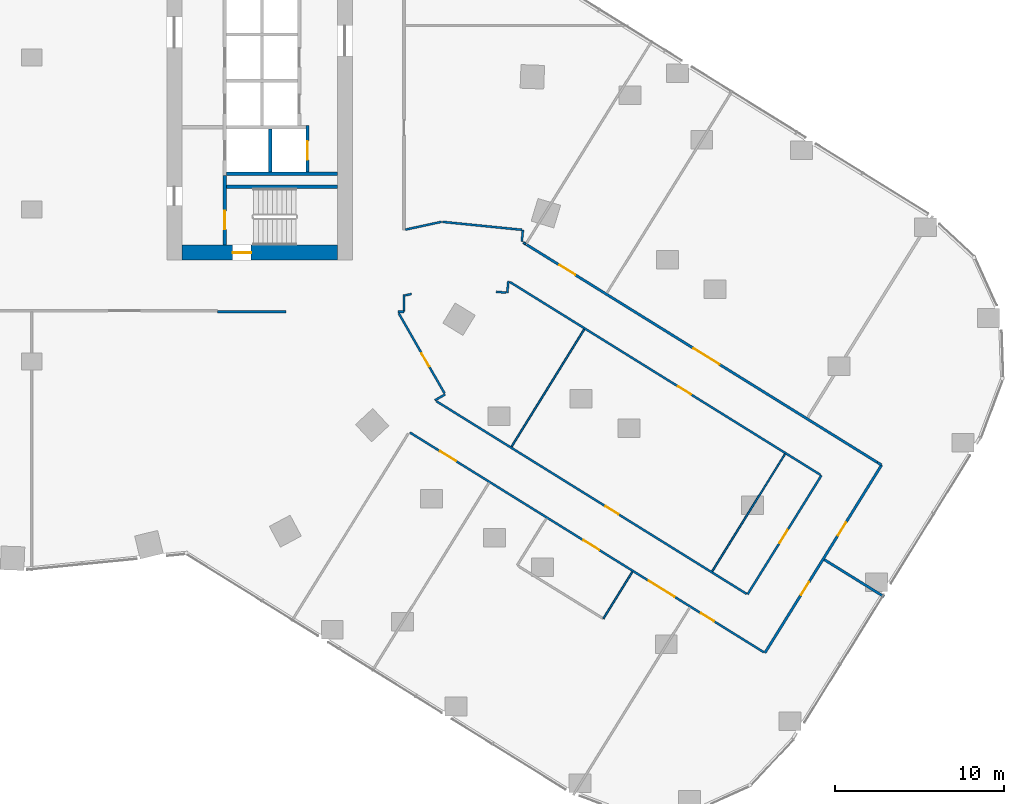
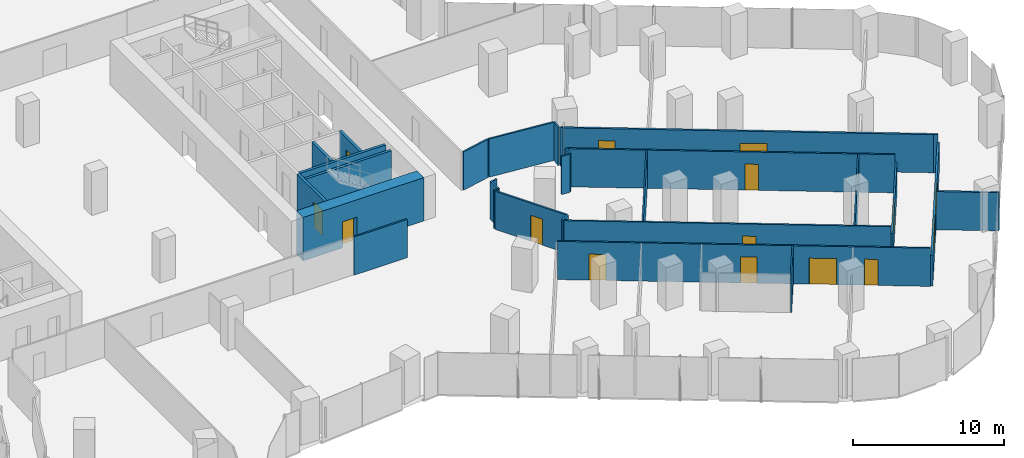
# One storey, part 30 of 33: 29 walls, 15 doors, 15 openings.
"""IFC4 building model written with IfcOpenShell, lengths in metres."""

from ifc_helpers import new_model, si_unit, direction, frame, frame_2d, origin, place, context, subcontext, project, spatial, rectangle, extrude, material, layer, layer_set, type_object, element, fill, save


model = new_model("IFC4")

# Units and contexts
model_context = context("Model", 3, precision=1e-05, world=origin(), true_north=direction((0.0, 1.0)))
body_context = subcontext(model_context, "Body", "Model", "MODEL_VIEW")
ifc_project = project(units=[si_unit("LENGTHUNIT", "METRE"), si_unit("AREAUNIT", "SQUARE_METRE"), si_unit("VOLUMEUNIT", "CUBIC_METRE"), si_unit("PLANEANGLEUNIT", "RADIAN"), si_unit("MASSUNIT", "GRAM", prefix="KILO")], contexts=[model_context])

# Site, building, storey
site_placement = place(None, origin())
site = spatial("IfcSite", under=ifc_project, at=site_placement, CompositionType="ELEMENT")
building_placement = place(site_placement, origin())
building = spatial("IfcBuilding", under=site, at=building_placement, Name="Orlundy Tower", CompositionType="ELEMENT")
storey_placement = place(building_placement, frame((0.0, 0.0, 51.300048828125)))
storey = spatial("IfcBuildingStorey", under=building, at=storey_placement, Name="L11", CompositionType="ELEMENT", Elevation=51.300048828125)

# Wall, opening, door
ifc_material_1 = material(Name="Concrete C80/95", Category="concrete")
ifc_layer_1 = layer(ifc_material_1, 0.89990234375)
ifc_layer_set_1 = layer_set([ifc_layer_1], Name="CORE WALL 900 C80/95")
wall_type_1 = type_object("IfcWallType", Name="CORE WALL 900 C80/95", PredefinedType="SHEAR", material=ifc_layer_set_1)
wall_1_placement = place(storey_placement, frame((8.89990234375, -11.550048828125, 0.0), z_axis=(0.0, 0.0, 1.0), x_axis=(1.0, 0.0, 0.0)))
wall_1 = element("IfcWall", 1, at=wall_1_placement, inside=storey, type_object=wall_type_1, Name="Core wall E-S L11", PredefinedType="SHEAR", context=body_context, shape_type="SweptSolid", body=[
    extrude(rectangle(XDim=9.2001953125, YDim=0.89990234375, at=frame_2d((4.60009765625, 0.0))), origin(), (0.0, 0.0, 1.0), 3.5),
])
opening_1_placement = place(wall_1_placement, frame((3.0, 0.0, 0.0)))
opening_1 = element("IfcOpeningElement", 2, at=opening_1_placement, cuts=wall_1, Name="Opening 10061", PredefinedType="OPENING", context=body_context, shape_type="SweptSolid", body=[
    extrude(rectangle(XDim=1.10009765625, YDim=2.10009765625, at=frame_2d((0.550048828125, 1.050048828125))), frame((0.0, 0.4599609375, 0.0), z_axis=(0.0, -1.0, 0.0), x_axis=(1.0, 0.0, 0.0)), (0.0, 0.0, 1.0), 0.919921875),
])
ifc_material_2 = material(Name="Steel door set", Category="steel")
door_type_1 = type_object("IfcDoorType", Name="Stair Door 1100x2100", OperationType="SINGLE_SWING_LEFT", PredefinedType="DOOR", material=ifc_material_2)
door_1_placement = place(opening_1_placement, origin())
door_1 = element("IfcDoor", 3, at=door_1_placement, inside=storey, type_object=door_type_1, Name="Stair door 10061", OperationType="SINGLE_SWING_LEFT", OverallHeight=2.10009765625, OverallWidth=1.10009765625, PredefinedType="DOOR", context=body_context, shape_type="SweptSolid", body=[
    extrude(rectangle(XDim=1.10009765625, YDim=2.10009765625, at=frame_2d((0.550048828125, 1.050048828125))), frame((0.0, 0.02490234375, 0.0), z_axis=(0.0, -1.0, 0.0), x_axis=(1.0, 0.0, 0.0)), (0.0, 0.0, 1.0), 0.050048828125),
])
fill(opening_1, door_1)

# Walls
ifc_material_3 = material(Name="Gypsum board partition")
ifc_layer_2 = layer(ifc_material_3, 0.10009765625)
ifc_layer_set_2 = layer_set([ifc_layer_2], Name="Floor partition 100")
wall_type_2 = type_object("IfcWallType", Name="Floor partition 100", PredefinedType="PARTITIONING", material=ifc_layer_set_2)
wall_2_placement = place(storey_placement, frame((40.31494140625, -30.427978515625, 0.0), z_axis=(0.0, 0.0, 1.0), x_axis=(0.527389626356, 0.849623553118, 0.0)))
element("IfcWall", 4, at=wall_2_placement, inside=storey, type_object=wall_type_2, Name="wall-int-L11-060", PredefinedType="PARTITIONING", context=body_context, shape_type="SweptSolid", body=[
    extrude(rectangle(XDim=8.17431640625, YDim=0.10009765625, at=frame_2d((4.087158203125, 0.0))), origin(), (0.0, 0.0, 1.0), 3.079833984375),
])
wall_3_placement = place(storey_placement, frame((33.860107421875, -33.240966796875, 0.0), z_axis=(0.0, 0.0, 1.0), x_axis=(0.527431657727, 0.849597461406, 0.0)))
element("IfcWall", 5, at=wall_3_placement, inside=storey, type_object=wall_type_2, Name="wall-int-L11-062", PredefinedType="PARTITIONING", context=body_context, shape_type="SweptSolid", body=[
    extrude(rectangle(XDim=3.2685546875, YDim=0.10009765625, at=frame_2d((1.63427734375, 0.0))), origin(), (0.0, 0.0, 1.0), 3.079833984375),
])
wall_4_placement = place(storey_placement, frame((28.4208984375, -23.0439453125, 0.0), z_axis=(0.0, 0.0, 1.0), x_axis=(0.527456547397, 0.849582009348, 0.0)))
element("IfcWall", 6, at=wall_4_placement, inside=storey, type_object=wall_type_2, Name="wall-int-L11-065", PredefinedType="PARTITIONING", context=body_context, shape_type="SweptSolid", body=[
    extrude(rectangle(XDim=8.17333984375, YDim=0.10009765625, at=frame_2d((4.086669921875, 0.0))), origin(), (0.0, 0.0, 1.0), 3.079833984375),
])

# Wall, opening, door
ifc_material_4 = material(Name="Gypsum board partition, double layer")
ifc_layer_3 = layer(ifc_material_4, 0.125)
ifc_layer_set_3 = layer_set([ifc_layer_3], Name="Floor partition 125")
wall_type_3 = type_object("IfcWallType", Name="Floor partition 125", PredefinedType="PARTITIONING", material=ifc_layer_set_3)
wall_5_placement = place(storey_placement, frame((21.739990234375, -15.14501953125, 0.0), z_axis=(0.0, 0.0, 1.0), x_axis=(0.496826277176, -0.867850016021, 0.0)))
wall_5 = element("IfcWall", 7, at=wall_5_placement, inside=storey, type_object=wall_type_3, Name="wall-int-L11-003", PredefinedType="PARTITIONING", context=body_context, shape_type="SweptSolid", body=[
    extrude(rectangle(XDim=5.46875, YDim=0.125, at=frame_2d((2.734375, 0.0))), origin(), (0.0, 0.0, 1.0), 3.079833984375),
])
opening_2_placement = place(wall_5_placement, frame((2.7333984375, 0.0, 0.0)))
opening_2 = element("IfcOpeningElement", 8, at=opening_2_placement, cuts=wall_5, Name="Opening 10102", PredefinedType="OPENING", context=body_context, shape_type="SweptSolid", body=[
    extrude(rectangle(XDim=0.89990234375, YDim=2.10009765625, at=frame_2d((0.449951171875, 1.050048828125))), frame((0.0, 0.072509765625, 0.0), z_axis=(0.0, -1.0, 0.0), x_axis=(1.0, 0.0, 0.0)), (0.0, 0.0, 1.0), 0.14501953125),
])
ifc_material_5 = material(Name="Timber door leaf", Category="wood")
door_type_2 = type_object("IfcDoorType", Name="Floor door single 900 FD30S", OperationType="NOTDEFINED", PredefinedType="DOOR", material=ifc_material_5)
door_2_placement = place(opening_2_placement, origin())
door_2 = element("IfcDoor", 9, at=door_2_placement, inside=storey, type_object=door_type_2, Name="Door 10102", OperationType="SINGLE_SWING_RIGHT", OverallHeight=2.10009765625, OverallWidth=0.89990234375, PredefinedType="DOOR", context=body_context, shape_type="SweptSolid", body=[
    extrude(rectangle(XDim=0.89990234375, YDim=2.10009765625, at=frame_2d((0.449951171875, 1.050048828125))), frame((0.0, 0.02490234375, 0.0), z_axis=(0.0, -1.0, 0.0), x_axis=(1.0, 0.0, 0.0)), (0.0, 0.0, 1.0), 0.050048828125),
])
fill(opening_2, door_2)

# Wall, openings, doors
wall_6_placement = place(storey_placement, frame((43.367919921875, -35.222900390625, 0.0), z_axis=(0.0, 0.0, 1.0), x_axis=(-0.849582235026, 0.527456183895, 0.0)))
wall_6 = element("IfcWall", 10, at=wall_6_placement, inside=storey, type_object=wall_type_3, Name="wall-int-L11-018", PredefinedType="PARTITIONING", context=body_context, shape_type="SweptSolid", body=[
    extrude(rectangle(XDim=24.680419921875, YDim=0.125, at=frame_2d((12.34033203125, 0.0))), origin(), (0.0, 0.0, 1.0), 3.079833984375),
])
opening_3_placement = place(wall_6_placement, frame((3.4736328125, 0.0, 0.0)))
opening_3 = element("IfcOpeningElement", 11, at=opening_3_placement, cuts=wall_6, Name="Opening 10107", PredefinedType="OPENING", context=body_context, shape_type="SweptSolid", body=[
    extrude(rectangle(XDim=0.89990234375, YDim=2.10009765625, at=frame_2d((0.449951171875, 1.050048828125))), frame((0.0, 0.072509765625, 0.0), z_axis=(0.0, -1.0, 0.0), x_axis=(1.0, 0.0, 0.0)), (0.0, 0.0, 1.0), 0.14501953125),
])
opening_4_placement = place(wall_6_placement, frame((21.473388671875, 0.0, 0.0)))
opening_4 = element("IfcOpeningElement", 12, at=opening_4_placement, cuts=wall_6, Name="Opening 10109", PredefinedType="OPENING", context=body_context, shape_type="SweptSolid", body=[
    extrude(rectangle(XDim=1.10009765625, YDim=2.10009765625, at=frame_2d((0.550048828125, 1.050048828125))), frame((0.0, 0.072509765625, 0.0), z_axis=(0.0, -1.0, 0.0), x_axis=(1.0, 0.0, 0.0)), (0.0, 0.0, 1.0), 0.14501953125),
])
opening_5_placement = place(wall_6_placement, frame((6.223388671875, 0.0, 0.0)))
opening_5 = element("IfcOpeningElement", 13, at=opening_5_placement, cuts=wall_6, Name="Opening 10110", PredefinedType="OPENING", context=body_context, shape_type="SweptSolid", body=[
    extrude(rectangle(XDim=1.800048828125, YDim=2.10009765625, at=frame_2d((0.89990234375, 1.050048828125))), frame((0.0, 0.072509765625, 0.0), z_axis=(0.0, -1.0, 0.0), x_axis=(1.0, 0.0, 0.0)), (0.0, 0.0, 1.0), 0.14501953125),
])
opening_6_placement = place(wall_6_placement, frame((11.4736328125, 0.0, 0.0)))
opening_6 = element("IfcOpeningElement", 14, at=opening_6_placement, cuts=wall_6, Name="Opening 10133", PredefinedType="OPENING", context=body_context, shape_type="SweptSolid", body=[
    extrude(rectangle(XDim=1.10009765625, YDim=2.10009765625, at=frame_2d((0.550048828125, 1.050048828125))), frame((0.0, 0.072509765625, 0.0), z_axis=(0.0, -1.0, 0.0), x_axis=(1.0, 0.0, 0.0)), (0.0, 0.0, 1.0), 0.14501953125),
])
ifc_material_6 = material(Name="Timber door leaf", Category="wood")
door_type_3 = type_object("IfcDoorType", Name="Floor door double 1800 FD30S", OperationType="NOTDEFINED", PredefinedType="DOOR", material=ifc_material_6)
door_3_placement = place(opening_5_placement, origin())
door_3 = element("IfcDoor", 15, at=door_3_placement, inside=storey, type_object=door_type_3, Name="Door 10110", OperationType="DOUBLE_DOOR_SINGLE_SWING", OverallHeight=2.10009765625, OverallWidth=1.800048828125, PredefinedType="DOOR", context=body_context, shape_type="SweptSolid", body=[
    extrude(rectangle(XDim=1.800048828125, YDim=2.10009765625, at=frame_2d((0.89990234375, 1.050048828125))), frame((0.0, 0.02490234375, 0.0), z_axis=(0.0, -1.0, 0.0), x_axis=(1.0, 0.0, 0.0)), (0.0, 0.0, 1.0), 0.050048828125),
])
fill(opening_5, door_3)
door_4_placement = place(opening_3_placement, origin())
door_4 = element("IfcDoor", 16, at=door_4_placement, inside=storey, type_object=door_type_2, Name="Door 10107", OperationType="SINGLE_SWING_LEFT", OverallHeight=2.10009765625, OverallWidth=0.89990234375, PredefinedType="DOOR", context=body_context, shape_type="SweptSolid", body=[
    extrude(rectangle(XDim=0.89990234375, YDim=2.10009765625, at=frame_2d((0.449951171875, 1.050048828125))), frame((0.0, 0.02490234375, 0.0), z_axis=(0.0, -1.0, 0.0), x_axis=(1.0, 0.0, 0.0)), (0.0, 0.0, 1.0), 0.050048828125),
])
fill(opening_3, door_4)
ifc_material_7 = material(Name="Timber door leaf", Category="wood")
door_type_4 = type_object("IfcDoorType", Name="Floor door xwide 1100 FD30S", OperationType="NOTDEFINED", PredefinedType="DOOR", material=ifc_material_7)
door_5_placement = place(opening_4_placement, origin())
door_5 = element("IfcDoor", 17, at=door_5_placement, inside=storey, type_object=door_type_4, Name="Door 10109", OperationType="SINGLE_SWING_RIGHT", OverallHeight=2.10009765625, OverallWidth=1.10009765625, PredefinedType="DOOR", context=body_context, shape_type="SweptSolid", body=[
    extrude(rectangle(XDim=1.10009765625, YDim=2.10009765625, at=frame_2d((0.550048828125, 1.050048828125))), frame((0.0, 0.02490234375, 0.0), z_axis=(0.0, -1.0, 0.0), x_axis=(1.0, 0.0, 0.0)), (0.0, 0.0, 1.0), 0.050048828125),
])
fill(opening_4, door_5)
door_6_placement = place(opening_6_placement, origin())
door_6 = element("IfcDoor", 18, at=door_6_placement, inside=storey, type_object=door_type_4, Name="Door 10133", OperationType="SINGLE_SWING_LEFT", OverallHeight=2.10009765625, OverallWidth=1.10009765625, PredefinedType="DOOR", context=body_context, shape_type="SweptSolid", body=[
    extrude(rectangle(XDim=1.10009765625, YDim=2.10009765625, at=frame_2d((0.550048828125, 1.050048828125))), frame((0.0, 0.02490234375, 0.0), z_axis=(0.0, -1.0, 0.0), x_axis=(1.0, 0.0, 0.0)), (0.0, 0.0, 1.0), 0.050048828125),
])
fill(opening_6, door_6)

# Wall, opening, door
wall_7_placement = place(storey_placement, frame((23.971923828125, -20.35498046875, 0.0), z_axis=(0.0, 0.0, 1.0), x_axis=(0.849517042194, -0.527561176568, 0.0)))
wall_7 = element("IfcWall", 19, at=wall_7_placement, inside=storey, type_object=wall_type_3, Name="wall-int-L11-019", PredefinedType="PARTITIONING", context=body_context, shape_type="SweptSolid", body=[
    extrude(rectangle(XDim=21.6337890625, YDim=0.125, at=frame_2d((10.81689453125, 0.0))), origin(), (0.0, 0.0, 1.0), 3.079833984375),
])
opening_7_placement = place(wall_7_placement, frame((11.7978515625, 0.0, 0.0)))
opening_7 = element("IfcOpeningElement", 20, at=opening_7_placement, cuts=wall_7, Name="Opening 10103", PredefinedType="OPENING", context=body_context, shape_type="SweptSolid", body=[
    extrude(rectangle(XDim=0.89990234375, YDim=2.10009765625, at=frame_2d((0.449951171875, 1.050048828125))), frame((0.0, 0.072509765625, 0.0), z_axis=(0.0, -1.0, 0.0), x_axis=(1.0, 0.0, 0.0)), (0.0, 0.0, 1.0), 0.14501953125),
])
door_7_placement = place(opening_7_placement, origin())
door_7 = element("IfcDoor", 21, at=door_7_placement, inside=storey, type_object=door_type_2, Name="Door 10103", OperationType="SINGLE_SWING_RIGHT", OverallHeight=2.10009765625, OverallWidth=0.89990234375, PredefinedType="DOOR", context=body_context, shape_type="SweptSolid", body=[
    extrude(rectangle(XDim=0.89990234375, YDim=2.10009765625, at=frame_2d((0.449951171875, 1.050048828125))), frame((0.0, 0.02490234375, 0.0), z_axis=(0.0, -1.0, 0.0), x_axis=(1.0, 0.0, 0.0)), (0.0, 0.0, 1.0), 0.050048828125),
])
fill(opening_7, door_7)

wall_8_placement = place(storey_placement, frame((46.72900390625, -24.718017578125, 0.0), z_axis=(0.0, 0.0, 1.0), x_axis=(-0.849521220981, 0.527554447525, 0.0)))
wall_8 = element("IfcWall", 22, at=wall_8_placement, inside=storey, type_object=wall_type_3, Name="wall-int-L11-021", PredefinedType="PARTITIONING", context=body_context, shape_type="SweptSolid", body=[
    extrude(rectangle(XDim=21.6640625, YDim=0.125, at=frame_2d((10.83203125, 0.0))), origin(), (0.0, 0.0, 1.0), 3.079833984375),
])
opening_8_placement = place(wall_8_placement, frame((9.03759765625, 0.0, 0.0)))
opening_8 = element("IfcOpeningElement", 23, at=opening_8_placement, cuts=wall_8, Name="Opening 10104", PredefinedType="OPENING", context=body_context, shape_type="SweptSolid", body=[
    extrude(rectangle(XDim=0.89990234375, YDim=2.10009765625, at=frame_2d((0.449951171875, 1.050048828125))), frame((0.0, 0.072509765625, 0.0), z_axis=(0.0, -1.0, 0.0), x_axis=(1.0, 0.0, 0.0)), (0.0, 0.0, 1.0), 0.14501953125),
])
door_8_placement = place(opening_8_placement, origin())
door_8 = element("IfcDoor", 24, at=door_8_placement, inside=storey, type_object=door_type_2, Name="Door 10104", OperationType="SINGLE_SWING_LEFT", OverallHeight=2.10009765625, OverallWidth=0.89990234375, PredefinedType="DOOR", context=body_context, shape_type="SweptSolid", body=[
    extrude(rectangle(XDim=0.89990234375, YDim=2.10009765625, at=frame_2d((0.449951171875, 1.050048828125))), frame((0.0, 0.02490234375, 0.0), z_axis=(0.0, -1.0, 0.0), x_axis=(1.0, 0.0, 0.0)), (0.0, 0.0, 1.0), 0.050048828125),
])
fill(opening_8, door_8)

# Walls
wall_9_placement = place(storey_placement, frame((29.116943359375, -10.955078125, 0.0), z_axis=(0.0, 0.0, 1.0), x_axis=(0.851611075983, -0.524174184087, 0.0)))
element("IfcWall", 25, at=wall_9_placement, inside=storey, type_object=wall_type_3, Name="wall-int-L11-024", PredefinedType="PARTITIONING", context=body_context, shape_type="SweptSolid", body=[
    extrude(rectangle(XDim=0.177490234375, YDim=0.125, at=frame_2d((0.0888671875, 0.0))), origin(), (0.0, 0.0, 1.0), 3.079833984375),
])
wall_10_placement = place(storey_placement, frame((27.51806640625, -13.866943359375, 0.0), z_axis=(0.0, 0.0, 1.0), x_axis=(0.994987975915, -0.099994638776, 0.0)))
element("IfcWall", 26, at=wall_10_placement, inside=storey, type_object=wall_type_3, Name="wall-int-L11-026", PredefinedType="PARTITIONING", context=body_context, shape_type="SweptSolid", body=[
    extrude(rectangle(XDim=0.5908203125, YDim=0.125, at=frame_2d((0.29541015625, 0.0))), origin(), (0.0, 0.0, 1.0), 3.079833984375),
])
wall_11_placement = place(storey_placement, frame((29.0390625, -10.198974609375, 0.0), z_axis=(0.0, 0.0, 1.0), x_axis=(-0.995058150607, 0.099293891606, 0.0)))
element("IfcWall", 27, at=wall_11_placement, inside=storey, type_object=wall_type_3, Name="wall-int-L11-027", PredefinedType="PARTITIONING", context=body_context, shape_type="SweptSolid", body=[
    extrude(rectangle(XDim=4.723388671875, YDim=0.125, at=frame_2d((2.36181640625, 0.0))), origin(), (0.0, 0.0, 1.0), 3.079833984375),
])
wall_12_placement = place(storey_placement, frame((10.990966796875, -15.051025390625, 0.0), z_axis=(0.0, 0.0, 1.0), x_axis=(1.0, 0.0, 0.0)))
element("IfcWall", 28, at=wall_12_placement, inside=storey, type_object=wall_type_3, Name="wall-int-L11-032", PredefinedType="PARTITIONING", context=body_context, shape_type="SweptSolid", body=[
    extrude(rectangle(XDim=4.06103515625, YDim=0.125, at=frame_2d((2.030517578125, 0.0))), origin(), (0.0, 0.0, 1.0), 3.079833984375),
])
wall_13_placement = place(storey_placement, frame((21.68603515625, -15.051025390625, 0.0), z_axis=(0.0, 0.0, 1.0), x_axis=(1.0, 0.0, 0.0)))
element("IfcWall", 29, at=wall_13_placement, inside=storey, type_object=wall_type_3, Name="wall-int-L11-033", PredefinedType="PARTITIONING", context=body_context, shape_type="SweptSolid", body=[
    extrude(rectangle(XDim=0.364013671875, YDim=0.125, at=frame_2d((0.18212890625, 0.0))), origin(), (0.0, 0.0, 1.0), 3.079833984375),
])
wall_14_placement = place(storey_placement, frame((22.126953125, -14.0810546875, 0.0), z_axis=(0.0, 0.0, 1.0), x_axis=(0.976967058765, 0.213390173362, 0.0)))
element("IfcWall", 30, at=wall_14_placement, inside=storey, type_object=wall_type_3, Name="wall-int-L11-042", PredefinedType="PARTITIONING", context=body_context, shape_type="SweptSolid", body=[
    extrude(rectangle(XDim=0.3798828125, YDim=0.125, at=frame_2d((0.18994140625, 0.0))), origin(), (0.0, 0.0, 1.0), 3.079833984375),
])
wall_15_placement = place(storey_placement, frame((22.126953125, -10.19091796875, 0.0), z_axis=(0.0, 0.0, 1.0), x_axis=(0.977235411969, 0.212157841227, 0.0)))
element("IfcWall", 31, at=wall_15_placement, inside=storey, type_object=wall_type_3, Name="wall-int-L11-043", PredefinedType="PARTITIONING", context=body_context, shape_type="SweptSolid", body=[
    extrude(rectangle(XDim=2.2001953125, YDim=0.125, at=frame_2d((1.10009765625, 0.0))), origin(), (0.0, 0.0, 1.0), 3.079833984375),
])
for number, where, z_axis, x_axis, name in (
    (32, (23.883056640625, -20.300048828125, 0.0), (0.0, 0.0, 1.0), (0.867683245789, 0.497117476032, 0.0), "wall-int-L11-045"),
    (33, (28.1689453125, -13.930908203125, 0.0), (0.0, 0.0, 1.0), (0.10033441048, 0.994953770822, 0.0), "wall-int-L11-072"),
):
    element("IfcWall", number, at=place(storey_placement, frame(where, z_axis=z_axis, x_axis=x_axis)), inside=storey, type_object=wall_type_3, Name=name, PredefinedType="PARTITIONING", context=body_context, shape_type="SweptSolid", body=[
        extrude(rectangle(XDim=0.6982421875, YDim=0.125, at=frame_2d((0.34912109375, 0.0))), origin(), (0.0, 0.0, 1.0), 3.079833984375),
    ])
wall_16_placement = place(storey_placement, frame((29.031982421875, -10.902099609375, 0.0), z_axis=(0.0, 0.0, 1.0), x_axis=(0.098777968406, 0.995109497974, 0.0)))
element("IfcWall", 34, at=wall_16_placement, inside=storey, type_object=wall_type_3, Name="wall-int-L11-073", PredefinedType="PARTITIONING", context=body_context, shape_type="SweptSolid", body=[
    extrude(rectangle(XDim=0.699462890625, YDim=0.125, at=frame_2d((0.349609375, 0.0))), origin(), (0.0, 0.0, 1.0), 3.079833984375),
])
wall_17_placement = place(storey_placement, frame((22.051025390625, -15.049072265625, 0.0), z_axis=(0.0, 0.0, 1.0), x_axis=(0.0, 1.0, 0.0)))
element("IfcWall", 35, at=wall_17_placement, inside=storey, type_object=wall_type_3, Name="wall-int-L11-076", PredefinedType="PARTITIONING", context=body_context, shape_type="SweptSolid", body=[
    extrude(rectangle(XDim=1.030029296875, YDim=0.125, at=frame_2d((0.51513671875, 0.0))), origin(), (0.0, 0.0, 1.0), 3.079833984375),
])

# Wall, opening, door
ifc_material_8 = material(Name="Gypsum board partition, double layer")
ifc_layer_4 = layer(ifc_material_8, 0.125)
ifc_layer_set_4 = layer_set([ifc_layer_4], Name="Floor partition 125 B")
wall_type_4 = type_object("IfcWallType", Name="Floor partition 125 B", PredefinedType="PARTITIONING", material=ifc_layer_set_4)
wall_18_placement = place(storey_placement, frame((42.405029296875, -31.799072265625, 0.0), z_axis=(0.0, 0.0, 1.0), x_axis=(0.527540070889, 0.849530148733, 0.0)))
wall_18 = element("IfcWall", 36, at=wall_18_placement, inside=storey, type_object=wall_type_4, Name="wall-int-L11-058", PredefinedType="PARTITIONING", context=body_context, shape_type="SweptSolid", body=[
    extrude(rectangle(XDim=8.298828125, YDim=0.125, at=frame_2d((4.1494140625, 0.0))), origin(), (0.0, 0.0, 1.0), 2.46875),
])
opening_9_placement = place(wall_18_placement, frame((3.60009765625, 0.0, 0.0)))
opening_9 = element("IfcOpeningElement", 37, at=opening_9_placement, cuts=wall_18, Name="Opening 10105", PredefinedType="OPENING", context=body_context, shape_type="SweptSolid", body=[
    extrude(rectangle(XDim=0.89990234375, YDim=2.10009765625, at=frame_2d((0.449951171875, 1.050048828125))), frame((0.0, 0.072509765625, 0.0), z_axis=(0.0, -1.0, 0.0), x_axis=(1.0, 0.0, 0.0)), (0.0, 0.0, 1.0), 0.14501953125),
])
door_9_placement = place(opening_9_placement, origin())
door_9 = element("IfcDoor", 38, at=door_9_placement, inside=storey, type_object=door_type_2, Name="Door 10105", OperationType="SINGLE_SWING_LEFT", OverallHeight=2.10009765625, OverallWidth=0.89990234375, PredefinedType="DOOR", context=body_context, shape_type="SweptSolid", body=[
    extrude(rectangle(XDim=0.89990234375, YDim=2.10009765625, at=frame_2d((0.449951171875, 1.050048828125))), frame((0.0, 0.02490234375, 0.0), z_axis=(0.0, -1.0, 0.0), x_axis=(1.0, 0.0, 0.0)), (0.0, 0.0, 1.0), 0.050048828125),
])
fill(opening_9, door_9)

# Walls
ifc_material_9 = material(Name="Blockwork shaft wall", Category="masonry")
ifc_layer_5 = layer(ifc_material_9, 0.14990234375)
ifc_layer_set_5 = layer_set([ifc_layer_5], Name="Floor shaft wall 150")
wall_type_5 = type_object("IfcWallType", Name="Floor shaft wall 150", PredefinedType="PARTITIONING", material=ifc_layer_set_5)
wall_19_placement = place(storey_placement, frame((46.952880859375, -29.739013671875, 0.0), z_axis=(0.0, 0.0, 1.0), x_axis=(0.849653722919, -0.527341019767, 0.0)))
element("IfcWall", 39, at=wall_19_placement, inside=storey, type_object=wall_type_5, Name="wall-int-L11-020", PredefinedType="PARTITIONING", context=body_context, shape_type="SweptSolid", body=[
    extrude(rectangle(XDim=4.173583984375, YDim=0.14990234375, at=frame_2d((2.0869140625, 0.0))), origin(), (0.0, 0.0, 1.0), 3.079833984375),
])
wall_20_placement = place(storey_placement, frame((50.087890625, -23.97509765625, 0.0), z_axis=(0.0, 0.0, 1.0), x_axis=(0.850230466056, -0.526410633051, 0.0)))
element("IfcWall", 40, at=wall_20_placement, inside=storey, type_object=wall_type_5, Name="wall-int-L11-022", PredefinedType="PARTITIONING", context=body_context, shape_type="SweptSolid", body=[
    extrude(rectangle(XDim=0.300048828125, YDim=0.14990234375, at=frame_2d((0.14990234375, 0.0))), origin(), (0.0, 0.0, 1.0), 3.079833984375),
])

# Wall, openings, doors
wall_21_placement = place(storey_placement, frame((29.31005859375, -11.073974609375, 0.0), z_axis=(0.0, 0.0, 1.0), x_axis=(0.849545912719, -0.527514684329, 0.0)))
wall_21 = element("IfcWall", 41, at=wall_21_placement, inside=storey, type_object=wall_type_5, Name="wall-int-L11-023", PredefinedType="PARTITIONING", context=body_context, shape_type="SweptSolid", body=[
    extrude(rectangle(XDim=24.45654296875, YDim=0.14990234375, at=frame_2d((12.228271484375, 0.0))), origin(), (0.0, 0.0, 1.0), 3.079833984375),
])
opening_10_placement = place(wall_21_placement, frame((2.300048828125, 0.0, 0.0)))
opening_10 = element("IfcOpeningElement", 42, at=opening_10_placement, cuts=wall_21, Name="Opening 10100", PredefinedType="OPENING", context=body_context, shape_type="SweptSolid", body=[
    extrude(rectangle(XDim=1.10009765625, YDim=2.10009765625, at=frame_2d((0.550048828125, 1.050048828125))), frame((0.0, 0.0849609375, 0.0), z_axis=(0.0, -1.0, 0.0), x_axis=(1.0, 0.0, 0.0)), (0.0, 0.0, 1.0), 0.169921875),
])
opening_11_placement = place(wall_21_placement, frame((11.65771484375, 0.0, 0.0)))
opening_11 = element("IfcOpeningElement", 43, at=opening_11_placement, cuts=wall_21, Name="Opening 10101", PredefinedType="OPENING", context=body_context, shape_type="SweptSolid", body=[
    extrude(rectangle(XDim=1.800048828125, YDim=2.10009765625, at=frame_2d((0.89990234375, 1.050048828125))), frame((0.0, 0.0849609375, 0.0), z_axis=(0.0, -1.0, 0.0), x_axis=(1.0, 0.0, 0.0)), (0.0, 0.0, 1.0), 0.169921875),
])
ifc_material_10 = material(Name="Timber door leaf", Category="wood")
door_type_5 = type_object("IfcDoorType", Name="Floor door double 1800 FD60", OperationType="NOTDEFINED", PredefinedType="DOOR", material=ifc_material_10)
door_10_placement = place(opening_11_placement, origin())
door_10 = element("IfcDoor", 44, at=door_10_placement, inside=storey, type_object=door_type_5, Name="Door 10101", OperationType="DOUBLE_DOOR_SINGLE_SWING", OverallHeight=2.10009765625, OverallWidth=1.800048828125, PredefinedType="DOOR", context=body_context, shape_type="SweptSolid", body=[
    extrude(rectangle(XDim=1.800048828125, YDim=2.10009765625, at=frame_2d((0.89990234375, 1.050048828125))), frame((0.0, 0.02490234375, 0.0), z_axis=(0.0, -1.0, 0.0), x_axis=(1.0, 0.0, 0.0)), (0.0, 0.0, 1.0), 0.050048828125),
])
fill(opening_11, door_10)
ifc_material_11 = material(Name="Timber door leaf", Category="wood")
door_type_6 = type_object("IfcDoorType", Name="Floor door xwide 1100 FD60", OperationType="NOTDEFINED", PredefinedType="DOOR", material=ifc_material_11)
door_11_placement = place(opening_10_placement, origin())
door_11 = element("IfcDoor", 45, at=door_11_placement, inside=storey, type_object=door_type_6, Name="Door 10100", OperationType="SINGLE_SWING_LEFT", OverallHeight=2.10009765625, OverallWidth=1.10009765625, PredefinedType="DOOR", context=body_context, shape_type="SweptSolid", body=[
    extrude(rectangle(XDim=1.10009765625, YDim=2.10009765625, at=frame_2d((0.550048828125, 1.050048828125))), frame((0.0, 0.02490234375, 0.0), z_axis=(0.0, -1.0, 0.0), x_axis=(1.0, 0.0, 0.0)), (0.0, 0.0, 1.0), 0.050048828125),
])
fill(opening_10, door_11)

ifc_material_12 = material(Name="Blockwork shaft wall", Category="masonry")
ifc_layer_6 = layer(ifc_material_12, 0.14990234375)
ifc_layer_set_6 = layer_set([ifc_layer_6], Name="Floor shaft wall 150 B")
wall_type_6 = type_object("IfcWallType", Name="Floor shaft wall 150 B", PredefinedType="PARTITIONING", material=ifc_layer_set_6)
wall_22_placement = place(storey_placement, frame((50.345947265625, -24.135009765625, 0.0), z_axis=(0.0, 0.0, 1.0), x_axis=(-0.527631447849, -0.849473398783, 0.0)))
wall_22 = element("IfcWall", 46, at=wall_22_placement, inside=storey, type_object=wall_type_6, Name="wall-int-L11-057", PredefinedType="PARTITIONING", context=body_context, shape_type="SweptSolid", body=[
    extrude(rectangle(XDim=13.099853515625, YDim=0.14990234375, at=frame_2d((6.5498046875, 0.0))), origin(), (0.0, 0.0, 1.0), 2.445068359375),
])
opening_12_placement = place(wall_22_placement, frame((4.0, 0.0, 0.0)))
opening_12 = element("IfcOpeningElement", 47, at=opening_12_placement, cuts=wall_22, Name="Opening 10106", PredefinedType="OPENING", context=body_context, shape_type="SweptSolid", body=[
    extrude(rectangle(XDim=0.89990234375, YDim=2.10009765625, at=frame_2d((0.449951171875, 1.050048828125))), frame((0.0, 0.0849609375, 0.0), z_axis=(0.0, -1.0, 0.0), x_axis=(1.0, 0.0, 0.0)), (0.0, 0.0, 1.0), 0.169921875),
])
opening_13_placement = place(wall_22_placement, frame((8.150390625, 0.0, 0.0)))
opening_13 = element("IfcOpeningElement", 48, at=opening_13_placement, cuts=wall_22, Name="Opening 10108", PredefinedType="OPENING", context=body_context, shape_type="SweptSolid", body=[
    extrude(rectangle(XDim=0.89990234375, YDim=2.10009765625, at=frame_2d((0.449951171875, 1.050048828125))), frame((0.0, 0.0849609375, 0.0), z_axis=(0.0, -1.0, 0.0), x_axis=(1.0, 0.0, 0.0)), (0.0, 0.0, 1.0), 0.169921875),
])
ifc_material_13 = material(Name="Timber door leaf", Category="wood")
door_type_7 = type_object("IfcDoorType", Name="Floor door single 900 FD60", OperationType="NOTDEFINED", PredefinedType="DOOR", material=ifc_material_13)
door_12_placement = place(opening_12_placement, origin())
door_12 = element("IfcDoor", 49, at=door_12_placement, inside=storey, type_object=door_type_7, Name="Door 10106", OperationType="SINGLE_SWING_LEFT", OverallHeight=2.10009765625, OverallWidth=0.89990234375, PredefinedType="DOOR", context=body_context, shape_type="SweptSolid", body=[
    extrude(rectangle(XDim=0.89990234375, YDim=2.10009765625, at=frame_2d((0.449951171875, 1.050048828125))), frame((0.0, 0.02490234375, 0.0), z_axis=(0.0, -1.0, 0.0), x_axis=(1.0, 0.0, 0.0)), (0.0, 0.0, 1.0), 0.050048828125),
])
fill(opening_12, door_12)
door_13_placement = place(opening_13_placement, origin())
door_13 = element("IfcDoor", 50, at=door_13_placement, inside=storey, type_object=door_type_7, Name="Door 10108", OperationType="SINGLE_SWING_RIGHT", OverallHeight=2.10009765625, OverallWidth=0.89990234375, PredefinedType="DOOR", context=body_context, shape_type="SweptSolid", body=[
    extrude(rectangle(XDim=0.89990234375, YDim=2.10009765625, at=frame_2d((0.449951171875, 1.050048828125))), frame((0.0, 0.02490234375, 0.0), z_axis=(0.0, -1.0, 0.0), x_axis=(1.0, 0.0, 0.0)), (0.0, 0.0, 1.0), 0.050048828125),
])
fill(opening_13, door_13)

# Wall, opening, door
ifc_material_14 = material(Name="Concrete C40/50", Category="concrete")
ifc_layer_7 = layer(ifc_material_14, 0.199951171875)
ifc_layer_set_7 = layer_set([ifc_layer_7], Name="Load-bearing Shaft Wall 200")
wall_type_7 = type_object("IfcWallType", Name="Load-bearing Shaft Wall 200", PredefinedType="SOLIDWALL", material=ifc_layer_set_7)
wall_23_placement = place(storey_placement, frame((11.43994140625, -6.97509765625, 0.0), z_axis=(0.0, 0.0, 1.0), x_axis=(0.0, -1.0, 0.0)))
wall_23 = element("IfcWall", 51, at=wall_23_placement, inside=storey, type_object=wall_type_7, Name="Shaft wall E10-stair-end-n", PredefinedType="SOLIDWALL", context=body_context, shape_type="SweptSolid", body=[
    extrude(rectangle(XDim=4.125, YDim=0.199951171875, at=frame_2d((2.0625, 0.0))), origin(), (0.0, 0.0, 1.0), 3.08984375),
])
opening_14_placement = place(wall_23_placement, frame((2.10009765625, 0.0, 0.0)))
opening_14 = element("IfcOpeningElement", 52, at=opening_14_placement, cuts=wall_23, Name="Opening 10063", PredefinedType="OPENING", context=body_context, shape_type="SweptSolid", body=[
    extrude(rectangle(XDim=1.10009765625, YDim=2.10009765625, at=frame_2d((0.550048828125, 1.050048828125))), frame((0.0, 0.110107421875, 0.0), z_axis=(0.0, -1.0, 0.0), x_axis=(1.0, 0.0, 0.0)), (0.0, 0.0, 1.0), 0.22021484375),
])
ifc_material_15 = material(Name="Steel door set", Category="steel")
door_type_8 = type_object("IfcDoorType", Name="Fire-fighting Lobby Door 1100x2100", OperationType="SINGLE_SWING_LEFT", PredefinedType="DOOR", material=ifc_material_15)
door_14_placement = place(opening_14_placement, origin())
door_14 = element("IfcDoor", 53, at=door_14_placement, inside=storey, type_object=door_type_8, Name="Fire-fighting lobby to stair door 10063", OperationType="SINGLE_SWING_RIGHT", OverallHeight=2.10009765625, OverallWidth=1.10009765625, PredefinedType="DOOR", context=body_context, shape_type="SweptSolid", body=[
    extrude(rectangle(XDim=1.10009765625, YDim=2.10009765625, at=frame_2d((0.550048828125, 1.050048828125))), frame((0.0, 0.02490234375, 0.0), z_axis=(0.0, -1.0, 0.0), x_axis=(1.0, 0.0, 0.0)), (0.0, 0.0, 1.0), 0.050048828125),
])
fill(opening_14, door_14)

# Walls
wall_24_placement = place(storey_placement, frame((11.5400390625, -7.64990234375, 0.0), z_axis=(0.0, 0.0, 1.0), x_axis=(1.0, 0.0, 0.0)))
element("IfcWall", 54, at=wall_24_placement, inside=storey, type_object=wall_type_7, Name="Shaft wall E10-stair-side-n", PredefinedType="SOLIDWALL", context=body_context, shape_type="SweptSolid", body=[
    extrude(rectangle(XDim=6.56005859375, YDim=0.199951171875, at=frame_2d((3.280029296875, 0.0))), origin(), (0.0, 0.0, 1.0), 3.08984375),
])
ifc_material_16 = material(Name="Fire-rated blockwork shaft wall", Category="masonry")
ifc_layer_8 = layer(ifc_material_16, 0.199951171875)
ifc_layer_set_8 = layer_set([ifc_layer_8], Name="Shaft Wall 200")
wall_type_8 = type_object("IfcWallType", Name="Shaft Wall 200", PredefinedType="SOLIDWALL", material=ifc_layer_set_8)
wall_25_placement = place(storey_placement, frame((11.5400390625, -6.875, 0.0), z_axis=(0.0, 0.0, 1.0), x_axis=(1.0, 0.0, 0.0)))
element("IfcWall", 55, at=wall_25_placement, inside=storey, type_object=wall_type_8, Name="Shaft wall E10-zone-n", PredefinedType="SOLIDWALL", context=body_context, shape_type="SweptSolid", body=[
    extrude(rectangle(XDim=6.56005859375, YDim=0.199951171875, at=frame_2d((3.280029296875, 0.0))), origin(), (0.0, 0.0, 1.0), 3.08984375),
])
wall_26_placement = place(storey_placement, frame((14.139892578125, -4.22509765625, 0.0), z_axis=(0.0, 0.0, 1.0), x_axis=(0.0, -1.0, 0.0)))
element("IfcWall", 56, at=wall_26_placement, inside=storey, type_object=wall_type_8, Name="Shaft wall E10-mid-b", PredefinedType="SOLIDWALL", context=body_context, shape_type="SweptSolid", body=[
    extrude(rectangle(XDim=2.5498046875, YDim=0.199951171875, at=frame_2d((1.27490234375, 0.0))), origin(), (0.0, 0.0, 1.0), 3.08984375),
])

# Wall, opening, door
wall_27_placement = place(storey_placement, frame((16.340087890625, -4.02490234375, 0.0), z_axis=(0.0, 0.0, 1.0), x_axis=(0.0, -1.0, 0.0)))
wall_27 = element("IfcWall", 57, at=wall_27_placement, inside=storey, type_object=wall_type_8, Name="Shaft wall E10-front-o-c", PredefinedType="SOLIDWALL", context=body_context, shape_type="SweptSolid", body=[
    extrude(rectangle(XDim=2.75, YDim=0.199951171875, at=frame_2d((1.375, 0.0))), origin(), (0.0, 0.0, 1.0), 3.08984375),
])
opening_15_placement = place(wall_27_placement, frame((0.925048828125, 0.0, 0.0)))
opening_15 = element("IfcOpeningElement", 58, at=opening_15_placement, cuts=wall_27, Name="Opening 10056", PredefinedType="OPENING", context=body_context, shape_type="SweptSolid", body=[
    extrude(rectangle(XDim=1.10009765625, YDim=2.10009765625, at=frame_2d((0.550048828125, 1.050048828125))), frame((0.0, 0.110107421875, 0.0), z_axis=(0.0, -1.0, 0.0), x_axis=(1.0, 0.0, 0.0)), (0.0, 0.0, 1.0), 0.22021484375),
])
ifc_material_17 = material(Name="Steel door set", Category="steel")
door_type_9 = type_object("IfcDoorType", Name="Landing Door 1100x2100", OperationType="DOUBLE_DOOR_SLIDING", PredefinedType="DOOR", material=ifc_material_17)
door_15_placement = place(opening_15_placement, origin())
door_15 = element("IfcDoor", 59, at=door_15_placement, inside=storey, type_object=door_type_9, Name="Lift landing door LP-09 10056", OperationType="DOUBLE_DOOR_SLIDING", OverallHeight=2.10009765625, OverallWidth=1.10009765625, PredefinedType="DOOR", context=body_context, shape_type="SweptSolid", body=[
    extrude(rectangle(XDim=1.10009765625, YDim=2.10009765625, at=frame_2d((0.550048828125, 1.050048828125))), frame((0.0, 0.02490234375, 0.0), z_axis=(0.0, -1.0, 0.0), x_axis=(1.0, 0.0, 0.0)), (0.0, 0.0, 1.0), 0.050048828125),
])
fill(opening_15, door_15)

save(model, "model.ifc")
